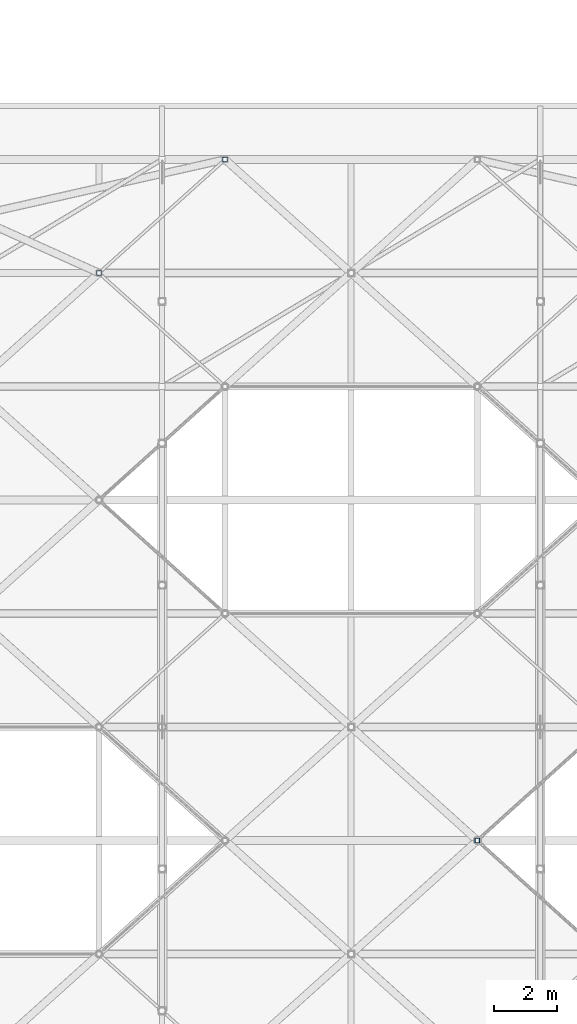
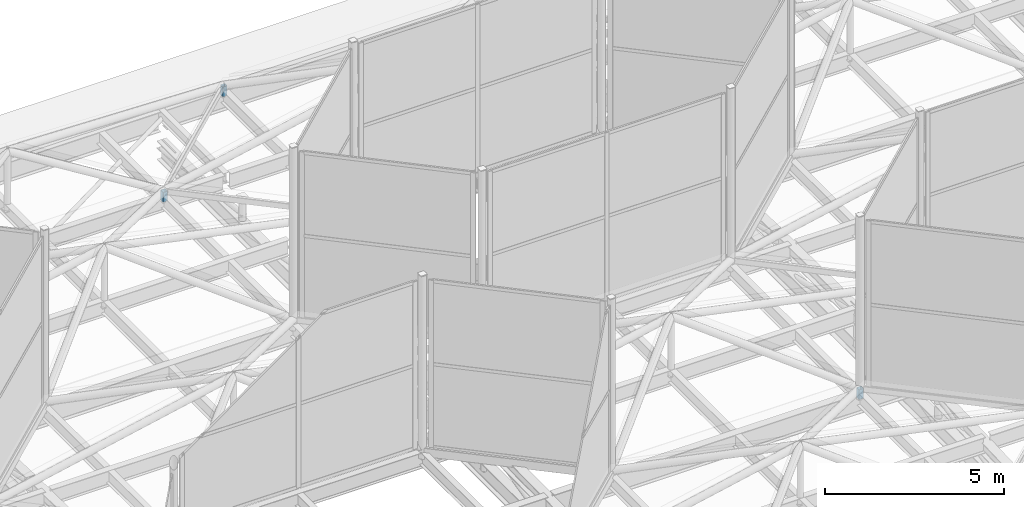
# One storey, part 203 of 239: 3 members.
"""IFC4 building model written with IfcOpenShell, lengths in metres."""

from ifc_helpers import new_model, si_unit, direction, frame, origin, origin_2d, place, context, subcontext, project, spatial, hollow_rectangle, extrude, material, material_profile, profile_set, type_object, element, save


model = new_model("IFC4")

# Units and contexts
model_context = context("Model", 3, precision=1e-05, world=origin(), true_north=direction((0.0, 1.0)))
body_context = subcontext(model_context, "Body", "Model", "MODEL_VIEW")
ifc_project = project(units=[si_unit("LENGTHUNIT", "METRE"), si_unit("AREAUNIT", "SQUARE_METRE"), si_unit("VOLUMEUNIT", "CUBIC_METRE"), si_unit("PLANEANGLEUNIT", "RADIAN"), si_unit("MASSUNIT", "GRAM", prefix="KILO")], contexts=[model_context])

# Site, building, storey
site_placement = place(None, origin())
site = spatial("IfcSite", under=ifc_project, at=site_placement, CompositionType="ELEMENT")
building_placement = place(site_placement, origin())
building = spatial("IfcBuilding", under=site, at=building_placement, Name="Dunvalen Ferry Terminal", CompositionType="ELEMENT")
storey_placement = place(building_placement, frame((0.0, 0.0, 9.840087890625)))
storey = spatial("IfcBuildingStorey", under=building, at=storey_placement, Name="L02", CompositionType="ELEMENT", Elevation=9.840087890625)

# Members
ifc_material = material(Name="Steel S355", Category="steel")
ifc_material_profile = material_profile(ifc_material, hollow_rectangle(XDim=0.14990234375, YDim=0.14990234375, WallThickness=0.008056640625, InnerFilletRadius=0.008056640625, OuterFilletRadius=0.01611328125, at=origin_2d()), Name="Steel S355")
ifc_profile_set = profile_set([ifc_material_profile], Name="Steel S355")
member_type = type_object("IfcMemberType", Name="STR-MB-SHS150", PredefinedType="BRACE", material=ifc_profile_set)
for number, where, z_axis, x_axis, name in (
    (1, (58.0, 82.800048828125, 0.77001953125), (0.0, 0.0, 1.0), (1.0, 0.0, 0.0), "HEX-27 Rim Pedestal Strut 5"),
    (2, (62.0, 86.39990234375, 0.77001953125), (0.0, 0.0, 1.0), (1.0, 0.0, 0.0), "HEX-28 Rim Pedestal Strut 4"),
    (3, (70.0, 64.800048828125, 0.77001953125), (0.0, 0.0, 1.0), (1.0, 0.0, 0.0), "HEX-30 Rim Pedestal Strut 5"),
):
    element("IfcMember", number, at=place(storey_placement, frame(where, z_axis=z_axis, x_axis=x_axis)), inside=storey, type_object=member_type, Name=name, PredefinedType="BRACE", context=body_context, shape_type="SweptSolid", body=[
        extrude(hollow_rectangle(XDim=0.14990234375, YDim=0.14990234375, WallThickness=0.008056640625, InnerFilletRadius=0.008056640625, OuterFilletRadius=0.01611328125, at=origin_2d()), origin(), (0.0, 0.0, 1.0), 0.329833984375),
    ])

save(model, "model.ifc")
